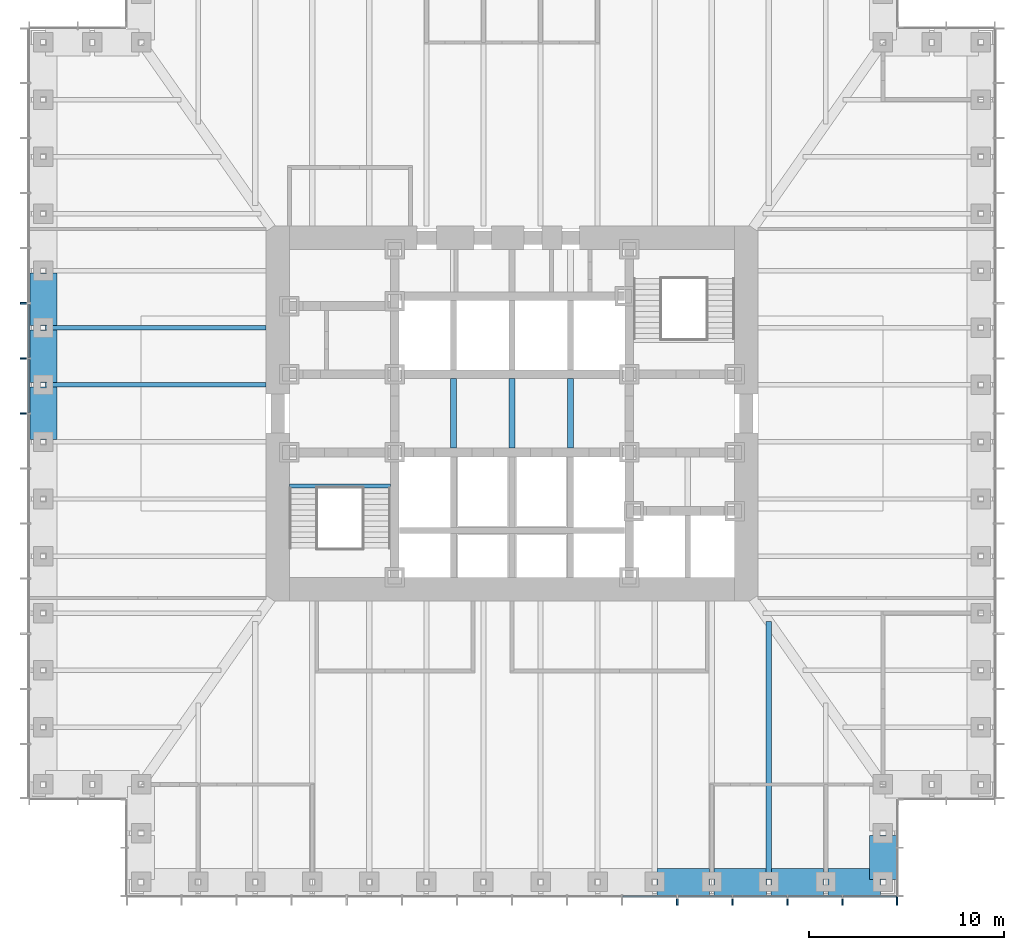
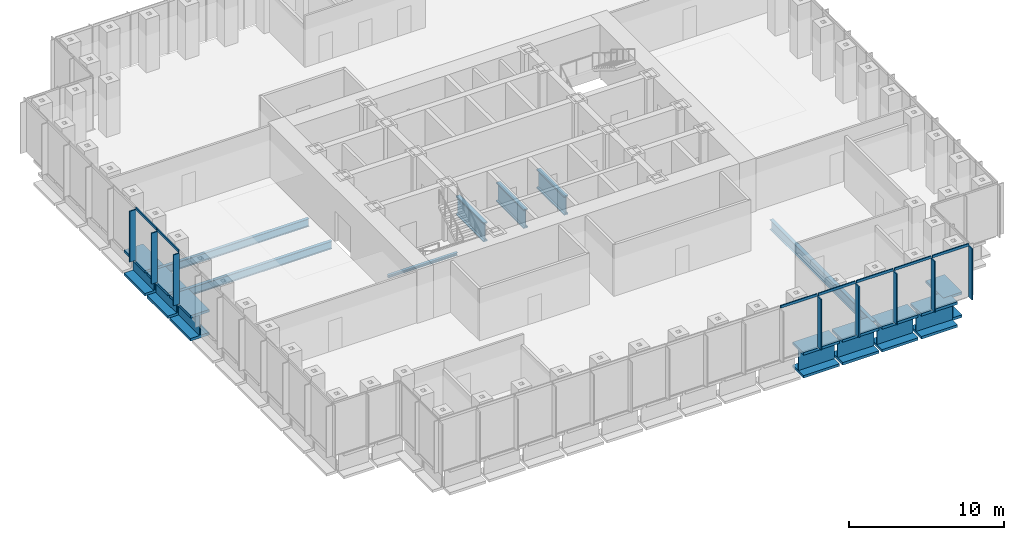
# One storey, part 3 of 16: 15 beams, 15 members, 2 elements without a shape of their own.
"""IFC4 building model written with IfcOpenShell, lengths in metres."""

from ifc_helpers import new_model, si_unit, direction, frame, origin, origin_2d, place, context, subcontext, project, spatial, rectangle, i_section, extrude, material, material_profile, profile_set, type_object, element, aggregate, save


model = new_model("IFC4")

# Units and contexts
model_context = context("Model", 3, precision=1e-05, world=origin(), true_north=direction((0.0, 1.0)))
body_context = subcontext(model_context, "Body", "Model", "MODEL_VIEW")
ifc_project = project(units=[si_unit("LENGTHUNIT", "METRE"), si_unit("AREAUNIT", "SQUARE_METRE"), si_unit("VOLUMEUNIT", "CUBIC_METRE"), si_unit("PLANEANGLEUNIT", "RADIAN"), si_unit("MASSUNIT", "GRAM", prefix="KILO")], contexts=[model_context])

# Site, building, storey
site_placement = place(None, origin())
site = spatial("IfcSite", under=ifc_project, at=site_placement, CompositionType="ELEMENT")
building_placement = place(site_placement, origin())
building = spatial("IfcBuilding", under=site, at=building_placement, Name="Daluyong Arena Tower", CompositionType="ELEMENT")
storey_placement = place(building_placement, frame((0.0, 0.0, 39.10009765625)))
storey = spatial("IfcBuildingStorey", under=building, at=storey_placement, Name="L07", CompositionType="ELEMENT", Elevation=39.10009765625)

# Curtain wall, members
ifc_material_1 = material(Name="Bronze anodised aluminium and glass", Category="aluminium")
curtain_wall_type = type_object("IfcCurtainWallType", Name="Curtain wall CW1", PredefinedType="USERDEFINED", material=ifc_material_1)
curtain_wall_1_placement = place(storey_placement, origin())
curtain_wall_1 = element("IfcCurtainWall", 1, at=curtain_wall_1_placement, inside=storey, type_object=curtain_wall_type, Name="curtain wall L07 S", ObjectType="UNITISED CURTAIN WALL", PredefinedType="USERDEFINED")
ifc_material_2 = material(Name="Bronze anodised aluminium fin", Category="aluminium")
ifc_material_profile_1 = material_profile(ifc_material_2, rectangle(XDim=0.449951171875, YDim=0.080078125, at=origin_2d()))
ifc_profile_set_1 = profile_set([ifc_material_profile_1], Name="Bronze anodised aluminium fin")
member_type_1 = type_object("IfcMemberType", Name="CW1 bronze fin 450x80", PredefinedType="MULLION", material=ifc_profile_set_1)
member_1_placement = place(storey_placement, frame((64.46435546875, 55.02490234375, 0.0), z_axis=(0.0, 0.0, 1.0), x_axis=(0.0, 1.0, 0.0)))
member_1 = element("IfcMember", 2, at=member_1_placement, type_object=member_type_1, Name="curtain wall L07 S fin 11", PredefinedType="MULLION", context=body_context, shape_type="SweptSolid", body=[
    extrude(rectangle(XDim=0.449951171875, YDim=0.080078125, at=origin_2d()), origin(), (0.0, 0.0, 1.0), 4.0),
])
member_2_placement = place(storey_placement, frame((67.28564453125, 55.02490234375, 0.0), z_axis=(0.0, 0.0, 1.0), x_axis=(0.0, 1.0, 0.0)))
member_2 = element("IfcMember", 3, at=member_2_placement, type_object=member_type_1, Name="curtain wall L07 S fin 12", PredefinedType="MULLION", context=body_context, shape_type="SweptSolid", body=[
    extrude(rectangle(XDim=0.449951171875, YDim=0.080078125, at=origin_2d()), origin(), (0.0, 0.0, 1.0), 4.0),
])
member_3_placement = place(storey_placement, frame((70.107177734375, 55.02490234375, 0.0), z_axis=(0.0, 0.0, 1.0), x_axis=(0.0, 1.0, 0.0)))
member_3 = element("IfcMember", 4, at=member_3_placement, type_object=member_type_1, Name="curtain wall L07 S fin 13", PredefinedType="MULLION", context=body_context, shape_type="SweptSolid", body=[
    extrude(rectangle(XDim=0.449951171875, YDim=0.080078125, at=origin_2d()), origin(), (0.0, 0.0, 1.0), 4.0),
])
member_4_placement = place(storey_placement, frame((72.928466796875, 55.02490234375, 0.0), z_axis=(0.0, 0.0, 1.0), x_axis=(0.0, 1.0, 0.0)))
member_4 = element("IfcMember", 5, at=member_4_placement, type_object=member_type_1, Name="curtain wall L07 S fin 14", PredefinedType="MULLION", context=body_context, shape_type="SweptSolid", body=[
    extrude(rectangle(XDim=0.449951171875, YDim=0.080078125, at=origin_2d()), origin(), (0.0, 0.0, 1.0), 4.0),
])
member_5_placement = place(storey_placement, frame((75.7099609375, 55.02490234375, 0.0), z_axis=(0.0, 0.0, 1.0), x_axis=(0.0, 1.0, 0.0)))
member_5 = element("IfcMember", 6, at=member_5_placement, type_object=member_type_1, Name="curtain wall L07 S fin 15", PredefinedType="MULLION", context=body_context, shape_type="SweptSolid", body=[
    extrude(rectangle(XDim=0.449951171875, YDim=0.080078125, at=origin_2d()), origin(), (0.0, 0.0, 1.0), 4.0),
])

curtain_wall_2_placement = place(storey_placement, origin())
curtain_wall_2 = element("IfcCurtainWall", 7, at=curtain_wall_2_placement, inside=storey, type_object=curtain_wall_type, Name="curtain wall L07 W", ObjectType="UNITISED CURTAIN WALL", PredefinedType="USERDEFINED")
member_6_placement = place(storey_placement, frame((31.02490234375, 85.642822265625, 0.0), z_axis=(0.0, 0.0, 1.0), x_axis=(1.0, 0.0, 0.0)))
member_6 = element("IfcMember", 8, at=member_6_placement, type_object=member_type_1, Name="curtain wall L07 W fin 6", PredefinedType="MULLION", context=body_context, shape_type="SweptSolid", body=[
    extrude(rectangle(XDim=0.449951171875, YDim=0.080078125, at=origin_2d()), origin(), (0.0, 0.0, 1.0), 4.0),
])
member_7_placement = place(storey_placement, frame((31.02490234375, 82.821533203125, 0.0), z_axis=(0.0, 0.0, 1.0), x_axis=(1.0, 0.0, 0.0)))
member_7 = element("IfcMember", 9, at=member_7_placement, type_object=member_type_1, Name="curtain wall L07 W fin 7", PredefinedType="MULLION", context=body_context, shape_type="SweptSolid", body=[
    extrude(rectangle(XDim=0.449951171875, YDim=0.080078125, at=origin_2d()), origin(), (0.0, 0.0, 1.0), 4.0),
])
member_8_placement = place(storey_placement, frame((31.02490234375, 80.0, 0.0), z_axis=(0.0, 0.0, 1.0), x_axis=(1.0, 0.0, 0.0)))
member_8 = element("IfcMember", 10, at=member_8_placement, type_object=member_type_1, Name="curtain wall L07 W fin 8", PredefinedType="MULLION", context=body_context, shape_type="SweptSolid", body=[
    extrude(rectangle(XDim=0.449951171875, YDim=0.080078125, at=origin_2d()), origin(), (0.0, 0.0, 1.0), 4.0),
])

# Member
ifc_material_3 = material(Name="Bronze anodised aluminium", Category="aluminium")
ifc_material_profile_2 = material_profile(ifc_material_3, rectangle(XDim=0.080078125, YDim=0.199951171875, at=origin_2d()))
ifc_profile_set_2 = profile_set([ifc_material_profile_2], Name="Bronze anodised aluminium")
member_type_2 = type_object("IfcMemberType", Name="CW1 stack transom 200x80", PredefinedType="USERDEFINED", material=ifc_profile_set_2)
member_9_placement = place(storey_placement, frame((61.682861328125, 55.25, 4.099853515625), z_axis=(1.0, 0.0, 0.0), x_axis=(0.0, 1.0, 0.0)))
member_9 = element("IfcMember", 11, at=member_9_placement, type_object=member_type_2, Name="curtain wall L07 S transom 10", ObjectType="TRANSOM", PredefinedType="USERDEFINED", context=body_context, shape_type="SweptSolid", body=[
    extrude(rectangle(XDim=0.080078125, YDim=0.199951171875, at=origin_2d()), origin(), (0.0, 0.0, 1.0), 2.741455078125),
])

member_10_placement = place(storey_placement, frame((64.50439453125, 55.25, 4.099853515625), z_axis=(1.0, 0.0, 0.0), x_axis=(0.0, 1.0, 0.0)))
member_10 = element("IfcMember", 12, at=member_10_placement, type_object=member_type_2, Name="curtain wall L07 S transom 11", ObjectType="TRANSOM", PredefinedType="USERDEFINED", context=body_context, shape_type="SweptSolid", body=[
    extrude(rectangle(XDim=0.080078125, YDim=0.199951171875, at=origin_2d()), origin(), (0.0, 0.0, 1.0), 2.7412109375),
])

member_11_placement = place(storey_placement, frame((67.32568359375, 55.25, 4.099853515625), z_axis=(1.0, 0.0, 0.0), x_axis=(0.0, 1.0, 0.0)))
member_11 = element("IfcMember", 13, at=member_11_placement, type_object=member_type_2, Name="curtain wall L07 S transom 12", ObjectType="TRANSOM", PredefinedType="USERDEFINED", context=body_context, shape_type="SweptSolid", body=[
    extrude(rectangle(XDim=0.080078125, YDim=0.199951171875, at=origin_2d()), origin(), (0.0, 0.0, 1.0), 2.741455078125),
])

member_12_placement = place(storey_placement, frame((70.147216796875, 55.25, 4.099853515625), z_axis=(1.0, 0.0, 0.0), x_axis=(0.0, 1.0, 0.0)))
member_12 = element("IfcMember", 14, at=member_12_placement, type_object=member_type_2, Name="curtain wall L07 S transom 13", ObjectType="TRANSOM", PredefinedType="USERDEFINED", context=body_context, shape_type="SweptSolid", body=[
    extrude(rectangle(XDim=0.080078125, YDim=0.199951171875, at=origin_2d()), origin(), (0.0, 0.0, 1.0), 2.741455078125),
])

member_13_placement = place(storey_placement, frame((72.968505859375, 55.25, 4.099853515625), z_axis=(1.0, 0.0, 0.0), x_axis=(0.0, 1.0, 0.0)))
member_13 = element("IfcMember", 15, at=member_13_placement, type_object=member_type_2, Name="curtain wall L07 S transom 14", ObjectType="TRANSOM", PredefinedType="USERDEFINED", context=body_context, shape_type="SweptSolid", body=[
    extrude(rectangle(XDim=0.080078125, YDim=0.199951171875, at=origin_2d()), origin(), (0.0, 0.0, 1.0), 2.701416015625),
])

aggregate(curtain_wall_1, [member_1, member_2, member_3, member_4, member_5, member_9, member_10, member_11, member_12, member_13])

member_14_placement = place(storey_placement, frame((31.25, 85.602783203125, 4.099853515625), z_axis=(0.0, -1.0, 0.0), x_axis=(1.0, 0.0, 0.0)))
member_14 = element("IfcMember", 16, at=member_14_placement, type_object=member_type_2, Name="curtain wall L07 W transom 6", ObjectType="TRANSOM", PredefinedType="USERDEFINED", context=body_context, shape_type="SweptSolid", body=[
    extrude(rectangle(XDim=0.080078125, YDim=0.199951171875, at=origin_2d()), origin(), (0.0, 0.0, 1.0), 2.741455078125),
])

member_15_placement = place(storey_placement, frame((31.25, 82.781494140625, 4.099853515625), z_axis=(0.0, -1.0, 0.0), x_axis=(1.0, 0.0, 0.0)))
member_15 = element("IfcMember", 17, at=member_15_placement, type_object=member_type_2, Name="curtain wall L07 W transom 7", ObjectType="TRANSOM", PredefinedType="USERDEFINED", context=body_context, shape_type="SweptSolid", body=[
    extrude(rectangle(XDim=0.080078125, YDim=0.199951171875, at=origin_2d()), origin(), (0.0, 0.0, 1.0), 2.741455078125),
])

aggregate(curtain_wall_2, [member_6, member_7, member_8, member_14, member_15])

# Beams
ifc_material_4 = material(Name="Steel ASTM A992 Grade 50", Category="steel")
ifc_material_profile_3 = material_profile(ifc_material_4, i_section(OverallWidth=0.22900390625, OverallDepth=0.612060546875, WebThickness=0.011962890625, FlangeThickness=0.01953125, at=origin_2d()))
ifc_profile_set_3 = profile_set([ifc_material_profile_3], Name="Steel ASTM A992 Grade 50")
beam_type_1 = type_object("IfcBeamType", Name="Floor beam W24X84", PredefinedType="BEAM", material=ifc_profile_set_3)
for number, where, z_axis, x_axis, name in (
    (18, (32.114990234375, 84.384521484375, -0.466064453125), (1.0, 0.0, 0.0), (0.0, 1.0, 0.0), "floor beam FB3"),
    (19, (32.114990234375, 81.46142578125, -0.466064453125), (1.0, 0.0, 0.0), (0.0, 1.0, 0.0), "floor beam FB3"),
):
    element("IfcBeam", number, at=place(storey_placement, frame(where, z_axis=z_axis, x_axis=x_axis)), inside=storey, type_object=beam_type_1, Name=name, PredefinedType="BEAM", context=body_context, shape_type="SweptSolid", body=[
        extrude(i_section(OverallWidth=0.22900390625, OverallDepth=0.612060546875, WebThickness=0.011962890625, FlangeThickness=0.01953125, at=origin_2d()), origin(), (0.0, 0.0, 1.0), 11.284912109375),
    ])
ifc_material_5 = material(Name="Steel ASTM A992 Grade 50", Category="steel")
ifc_material_profile_4 = material_profile(ifc_material_5, i_section(OverallWidth=0.2666015625, OverallDepth=0.761962890625, WebThickness=0.014404296875, FlangeThickness=0.021484375, at=origin_2d()))
ifc_profile_set_4 = profile_set([ifc_material_profile_4], Name="Steel ASTM A992 Grade 50")
beam_type_2 = type_object("IfcBeamType", Name="Floor beam W30X116", PredefinedType="BEAM", material=ifc_profile_set_4)
beam_1_placement = place(storey_placement, frame((69.15380859375, 56.114990234375, -0.541015625), z_axis=(0.0, 1.0, 0.0), x_axis=(-1.0, 0.0, 0.0)))
element("IfcBeam", 20, at=beam_1_placement, inside=storey, type_object=beam_type_2, Name="floor beam FB4", PredefinedType="BEAM", context=body_context, shape_type="SweptSolid", body=[
    extrude(i_section(OverallWidth=0.2666015625, OverallDepth=0.761962890625, WebThickness=0.014404296875, FlangeThickness=0.021484375, at=origin_2d()), origin(), (0.0, 0.0, 1.0), 13.236572265625),
])
ifc_material_6 = material(Name="Steel ASTM A572 Grade 50", Category="steel")
ifc_material_profile_5 = material_profile(ifc_material_6, i_section(OverallWidth=0.300048828125, OverallDepth=1.5, WebThickness=0.04, FlangeThickness=0.1, at=origin_2d()))
ifc_profile_set_5 = profile_set([ifc_material_profile_5], Name="Steel ASTM A572 Grade 50")
beam_type_3 = type_object("IfcBeamType", Name="Lift divider beam PG1500X300", PredefinedType="BEAM", material=ifc_profile_set_5)
for number, where, z_axis, x_axis, name in (
    (21, (53.0, 78.22509765625, -0.91015625), (0.0, 1.0, 0.0), (-1.0, 0.0, 0.0), "lift divider beam DB2"),
    (22, (56.0, 78.22509765625, -0.91015625), (0.0, 1.0, 0.0), (-1.0, 0.0, 0.0), "lift divider beam DB2"),
    (23, (59.0, 78.22509765625, -0.91015625), (0.0, 1.0, 0.0), (-1.0, 0.0, 0.0), "lift divider beam DB2"),
):
    element("IfcBeam", number, at=place(storey_placement, frame(where, z_axis=z_axis, x_axis=x_axis)), inside=storey, type_object=beam_type_3, Name=name, PredefinedType="BEAM", context=body_context, shape_type="SweptSolid", body=[
        extrude(i_section(OverallWidth=0.300048828125, OverallDepth=1.5, WebThickness=0.04, FlangeThickness=0.1, at=origin_2d()), origin(), (0.0, 0.0, 1.0), 3.5498046875),
    ])
ifc_material_7 = material(Name="Steel ASTM A588 Grade 50", Category="steel")
ifc_material_profile_6 = material_profile(ifc_material_7, i_section(OverallWidth=1.39990234375, OverallDepth=2.0, WebThickness=0.07, FlangeThickness=0.2, at=origin_2d()))
ifc_profile_set_6 = profile_set([ifc_material_profile_6], Name="Steel ASTM A588 Grade 50")
beam_type_4 = type_object("IfcBeamType", Name="Spandrel Z1 PG2000X1400", PredefinedType="SPANDREL", material=ifc_profile_set_6)
for number, where, z_axis, x_axis, name in (
    (24, (63.422607421875, 56.0, -1.16015625), (1.0, 0.0, 0.0), (0.0, 1.0, 0.0), "spandrel z1 SB1"),
    (25, (66.345703125, 56.0, -1.16015625), (1.0, 0.0, 0.0), (0.0, 1.0, 0.0), "spandrel z1 SB1"),
    (26, (69.268798828125, 56.0, -1.16015625), (1.0, 0.0, 0.0), (0.0, 1.0, 0.0), "spandrel z1 SB1"),
    (27, (72.19189453125, 56.0, -1.16015625), (1.0, 0.0, 0.0), (0.0, 1.0, 0.0), "spandrel z1 SB1"),
):
    element("IfcBeam", number, at=place(storey_placement, frame(where, z_axis=z_axis, x_axis=x_axis)), inside=storey, type_object=beam_type_4, Name=name, PredefinedType="SPANDREL", context=body_context, shape_type="SweptSolid", body=[
        extrude(i_section(OverallWidth=1.39990234375, OverallDepth=2.0, WebThickness=0.07, FlangeThickness=0.2, at=origin_2d()), origin(), (0.0, 0.0, 1.0), 2.693115234375),
    ])
beam_2_placement = place(storey_placement, frame((75.0, 56.114990234375, -1.16015625), z_axis=(0.0, 1.0, 0.0), x_axis=(-1.0, 0.0, 0.0)))
element("IfcBeam", 28, at=beam_2_placement, inside=storey, type_object=beam_type_4, Name="spandrel z1 SB1", PredefinedType="SPANDREL", context=body_context, shape_type="SweptSolid", body=[
    extrude(i_section(OverallWidth=1.39990234375, OverallDepth=2.0, WebThickness=0.07, FlangeThickness=0.2, at=origin_2d()), origin(), (0.0, 0.0, 1.0), 2.27001953125),
])
for number, where, z_axis, x_axis, name in (
    (29, (32.0, 87.192626953125, -1.16015625), (0.0, -1.0, 0.0), (1.0, 0.0, 0.0), "spandrel z1 SB1"),
    (30, (32.0, 84.26953125, -1.16015625), (0.0, -1.0, 0.0), (1.0, 0.0, 0.0), "spandrel z1 SB1"),
):
    element("IfcBeam", number, at=place(storey_placement, frame(where, z_axis=z_axis, x_axis=x_axis)), inside=storey, type_object=beam_type_4, Name=name, PredefinedType="SPANDREL", context=body_context, shape_type="SweptSolid", body=[
        extrude(i_section(OverallWidth=1.39990234375, OverallDepth=2.0, WebThickness=0.07, FlangeThickness=0.2, at=origin_2d()), origin(), (0.0, 0.0, 1.0), 2.693115234375),
    ])
beam_3_placement = place(storey_placement, frame((32.0, 81.346435546875, -1.16015625), z_axis=(0.0, -1.0, 0.0), x_axis=(1.0, 0.0, 0.0)))
element("IfcBeam", 31, at=beam_3_placement, inside=storey, type_object=beam_type_4, Name="spandrel z1 SB1", PredefinedType="SPANDREL", context=body_context, shape_type="SweptSolid", body=[
    extrude(i_section(OverallWidth=1.39990234375, OverallDepth=2.0, WebThickness=0.07, FlangeThickness=0.2, at=origin_2d()), origin(), (0.0, 0.0, 1.0), 2.69287109375),
])
ifc_material_8 = material(Name="Steel ASTM A992 Grade 50", Category="steel")
ifc_material_profile_7 = material_profile(ifc_material_8, i_section(OverallWidth=0.203125, OverallDepth=0.203125, WebThickness=0.00732421875, FlangeThickness=0.010986328125, at=origin_2d()))
ifc_profile_set_7 = profile_set([ifc_material_profile_7], Name="Steel ASTM A992 Grade 50")
beam_type_5 = type_object("IfcBeamType", Name="Stair landing beam W8X31", PredefinedType="BEAM", material=ifc_profile_set_7)
beam_4_placement = place(storey_placement, frame((44.60009765625, 76.276611328125, -0.26171875), z_axis=(1.0, 0.0, 0.0), x_axis=(0.0, 1.0, 0.0)))
element("IfcBeam", 32, at=beam_4_placement, inside=storey, type_object=beam_type_5, Name="exit stair A landing beam", PredefinedType="BEAM", context=body_context, shape_type="SweptSolid", body=[
    extrude(i_section(OverallWidth=0.203125, OverallDepth=0.203125, WebThickness=0.00732421875, FlangeThickness=0.010986328125, at=origin_2d()), origin(), (0.0, 0.0, 1.0), 5.1748046875),
])

save(model, "model.ifc")
